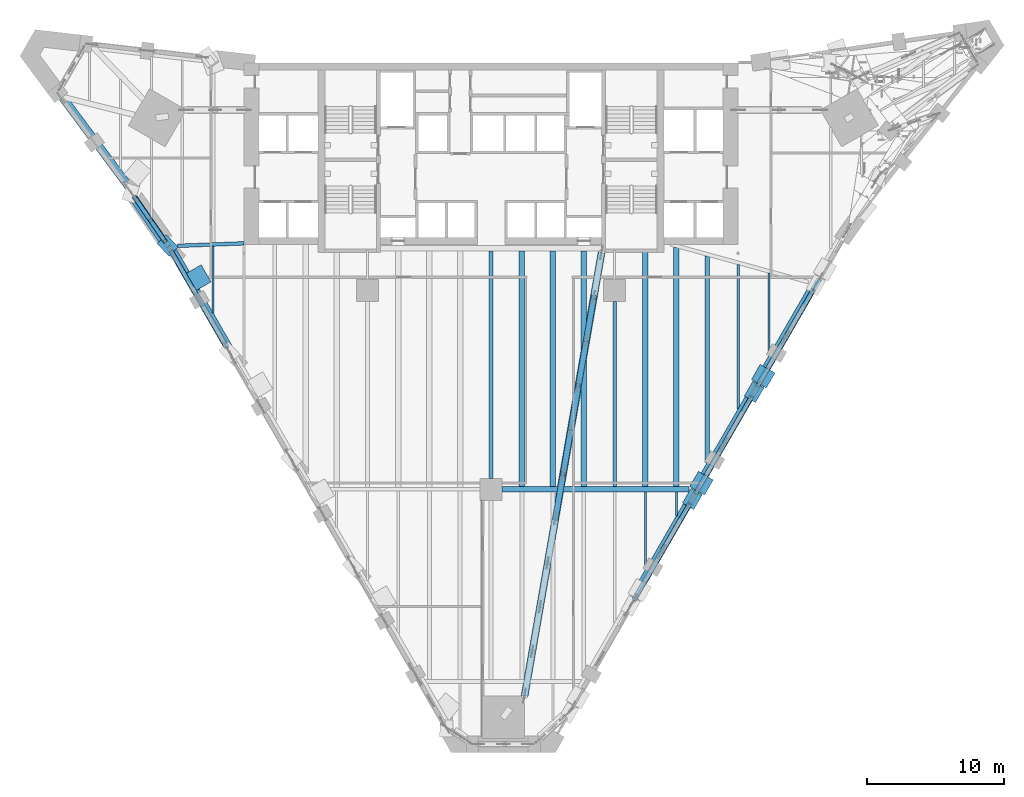
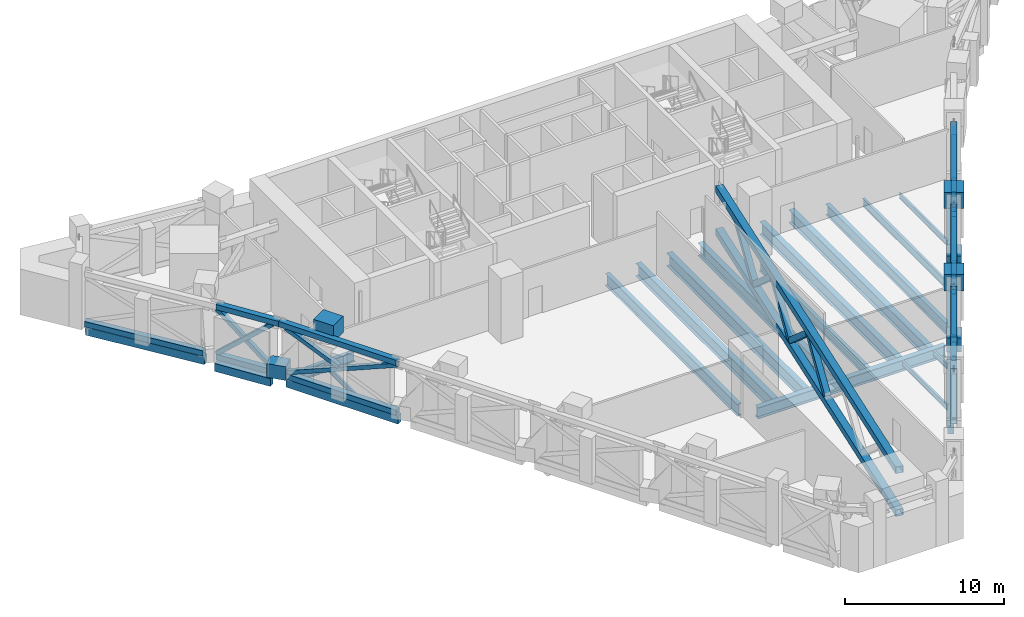
# One storey, part 3 of 22: 31 members, 27 beams.
"""IFC4 building model written with IfcOpenShell, lengths in metres."""

from ifc_helpers import new_model, si_unit, direction, frame, origin, origin_2d, place, context, subcontext, project, spatial, rectangle, hollow_rectangle, i_section, extrude, material, material_profile, profile_set, type_object, element, save


model = new_model("IFC4")

# Units and contexts
model_context = context("Model", 3, precision=1e-05, world=origin(), true_north=direction((0.0, 1.0)))
body_context = subcontext(model_context, "Body", "Model", "MODEL_VIEW")
ifc_project = project(units=[si_unit("LENGTHUNIT", "METRE"), si_unit("AREAUNIT", "SQUARE_METRE"), si_unit("VOLUMEUNIT", "CUBIC_METRE"), si_unit("PLANEANGLEUNIT", "RADIAN"), si_unit("MASSUNIT", "GRAM", prefix="KILO")], contexts=[model_context])

# Site, building, storey
site_placement = place(None, origin())
site = spatial("IfcSite", under=ifc_project, at=site_placement, CompositionType="ELEMENT")
building_placement = place(site_placement, origin())
building = spatial("IfcBuilding", under=site, at=building_placement, Name="Calabash Gate Tower", CompositionType="ELEMENT")
storey_placement = place(building_placement, frame((0.0, 0.0, 86.800048828125)))
storey = spatial("IfcBuildingStorey", under=building, at=storey_placement, Name="L18", CompositionType="ELEMENT", Elevation=86.800048828125)

# Members
ifc_material_1 = material(Name="Steel ASTM A500 Gr C", Category="steel")
ifc_material_profile_1 = material_profile(ifc_material_1, hollow_rectangle(XDim=0.406494140625, YDim=0.406494140625, WallThickness=0.015869140625, at=origin_2d()))
ifc_profile_set_1 = profile_set([ifc_material_profile_1], Name="Steel ASTM A500 Gr C")
member_type_1 = type_object("IfcMemberType", Name="Belt truss chord HSS16X16X.625 ASTM A500 Gr C", PredefinedType="CHORD", material=ifc_profile_set_1)
member_1_placement = place(storey_placement, frame((10.42236328125, -20.052734375, 0.203125), z_axis=(0.500012932018, 0.866017937352, 0.0), x_axis=(-0.866017937352, 0.500012932018, 0.0)))
element("IfcMember", 1, at=member_1_placement, inside=storey, type_object=member_type_1, Name="Belt chord L18 41", PredefinedType="CHORD", context=body_context, shape_type="SweptSolid", body=[
    extrude(hollow_rectangle(XDim=0.406494140625, YDim=0.406494140625, WallThickness=0.015869140625, at=origin_2d()), origin(), (0.0, 0.0, 1.0), 8.099853515625),
])
member_2_placement = place(storey_placement, frame((10.42236328125, -20.052734375, 4.02685546875), z_axis=(0.500165138133, 0.865930040243, 0.0), x_axis=(-0.865930040243, 0.500165138133, 0.0)))
element("IfcMember", 2, at=member_2_placement, inside=storey, type_object=member_type_1, Name="Belt chord L18 42", PredefinedType="CHORD", context=body_context, shape_type="SweptSolid", body=[
    extrude(hollow_rectangle(XDim=0.406494140625, YDim=0.406494140625, WallThickness=0.015869140625, at=origin_2d()), origin(), (0.0, 0.0, 1.0), 9.00634765625),
])
member_3_placement = place(storey_placement, frame((14.92236328125, -12.258544921875, 0.203125), z_axis=(0.500012932018, 0.866017937352, 0.0), x_axis=(-0.866017937352, 0.500012932018, 0.0)))
element("IfcMember", 3, at=member_3_placement, inside=storey, type_object=member_type_1, Name="Belt chord L18 46", PredefinedType="CHORD", context=body_context, shape_type="SweptSolid", body=[
    extrude(hollow_rectangle(XDim=0.406494140625, YDim=0.406494140625, WallThickness=0.015869140625, at=origin_2d()), origin(), (0.0, 0.0, 1.0), 8.099853515625),
])
member_4_placement = place(storey_placement, frame((14.92236328125, -12.258544921875, 4.02685546875), z_axis=(0.500176878948, 0.865923258589, 0.0), x_axis=(-0.865923258589, 0.500176878948, 0.0)))
element("IfcMember", 4, at=member_4_placement, inside=storey, type_object=member_type_1, Name="Belt chord L18 47", PredefinedType="CHORD", context=body_context, shape_type="SweptSolid", body=[
    extrude(hollow_rectangle(XDim=0.406494140625, YDim=0.406494140625, WallThickness=0.015869140625, at=origin_2d()), origin(), (0.0, 0.0, 1.0), 9.006103515625),
])
member_5_placement = place(storey_placement, frame((19.42236328125, -4.46435546875, 0.203125), z_axis=(0.499999880539, 0.866025472755, 0.0), x_axis=(-0.866025472755, 0.499999880539, 0.0)))
element("IfcMember", 5, at=member_5_placement, inside=storey, type_object=member_type_1, Name="Belt chord L18 51", PredefinedType="CHORD", context=body_context, shape_type="SweptSolid", body=[
    extrude(hollow_rectangle(XDim=0.406494140625, YDim=0.406494140625, WallThickness=0.015869140625, at=origin_2d()), origin(), (0.0, 0.0, 1.0), 8.10009765625),
])
member_6_placement = place(storey_placement, frame((19.42236328125, -4.46435546875, 4.02685546875), z_axis=(0.500188620222, 0.865916476458, 0.0), x_axis=(-0.865916476458, 0.500188620222, 0.0)))
element("IfcMember", 6, at=member_6_placement, inside=storey, type_object=member_type_1, Name="Belt chord L18 52", PredefinedType="CHORD", context=body_context, shape_type="SweptSolid", body=[
    extrude(hollow_rectangle(XDim=0.406494140625, YDim=0.406494140625, WallThickness=0.015869140625, at=origin_2d()), origin(), (0.0, 0.0, 1.0), 9.005859375),
])
member_7_placement = place(storey_placement, frame((-31.3173828125, 16.521484375, 0.203125), z_axis=(0.595297465971, -0.803505399489, 0.0), x_axis=(0.803505399489, 0.595297465971, 0.0)))
element("IfcMember", 7, at=member_7_placement, inside=storey, type_object=member_type_1, Name="Belt chord L18 101", PredefinedType="CHORD", context=body_context, shape_type="SweptSolid", body=[
    extrude(hollow_rectangle(XDim=0.406494140625, YDim=0.406494140625, WallThickness=0.015869140625, at=origin_2d()), origin(), (0.0, 0.0, 1.0), 8.10009765625),
])
member_8_placement = place(storey_placement, frame((-25.9716796875, 9.281005859375, 0.203125), z_axis=(0.568150166616, -0.822924898259, 0.0), x_axis=(0.822924898259, 0.568150166616, 0.0)))
element("IfcMember", 8, at=member_8_placement, inside=storey, type_object=member_type_1, Name="Belt chord L18 106", PredefinedType="CHORD", context=body_context, shape_type="SweptSolid", body=[
    extrude(hollow_rectangle(XDim=0.406494140625, YDim=0.406494140625, WallThickness=0.015869140625, at=origin_2d()), origin(), (0.0, 0.0, 1.0), 3.8828125),
])
member_9_placement = place(storey_placement, frame((-25.9716796875, 9.281005859375, 4.02685546875), z_axis=(0.568168040159, -0.822912558017, 0.0), x_axis=(0.822912558017, 0.568168040159, 0.0)))
element("IfcMember", 9, at=member_9_placement, inside=storey, type_object=member_type_1, Name="Belt chord L18 107", PredefinedType="CHORD", context=body_context, shape_type="SweptSolid", body=[
    extrude(hollow_rectangle(XDim=0.406494140625, YDim=0.406494140625, WallThickness=0.015869140625, at=origin_2d()), origin(), (0.0, 0.0, 1.0), 4.339599609375),
])
member_10_placement = place(storey_placement, frame((-23.2841796875, 5.324462890625, 0.203125), z_axis=(0.499999880539, -0.866025472755, 0.0), x_axis=(0.866025472755, 0.499999880539, 0.0)))
element("IfcMember", 10, at=member_10_placement, inside=storey, type_object=member_type_1, Name="Belt chord L18 111", PredefinedType="CHORD", context=body_context, shape_type="SweptSolid", body=[
    extrude(hollow_rectangle(XDim=0.406494140625, YDim=0.406494140625, WallThickness=0.015869140625, at=origin_2d()), origin(), (0.0, 0.0, 1.0), 8.10009765625),
])
member_11_placement = place(storey_placement, frame((-23.512939453125, 5.720947265625, 4.02685546875), z_axis=(0.499986688891, -0.86603308882, 0.0), x_axis=(0.86603308882, 0.499986688891, 0.0)))
element("IfcMember", 11, at=member_11_placement, inside=storey, type_object=member_type_1, Name="Belt chord L18 112", PredefinedType="CHORD", context=body_context, shape_type="SweptSolid", body=[
    extrude(hollow_rectangle(XDim=0.406494140625, YDim=0.406494140625, WallThickness=0.015869140625, at=origin_2d()), origin(), (0.0, 0.0, 1.0), 8.557861328125),
])
ifc_material_2 = material(Name="Steel ASTM A500 Gr C", Category="steel")
ifc_material_profile_2 = material_profile(ifc_material_2, hollow_rectangle(XDim=0.3046875, YDim=0.3046875, WallThickness=0.0126953125, at=origin_2d()))
ifc_profile_set_2 = profile_set([ifc_material_profile_2], Name="Steel ASTM A500 Gr C")
member_type_2 = type_object("IfcMemberType", Name="Belt truss diagonal HSS12X12X.500 ASTM A500 Gr C", PredefinedType="BRACE", material=ifc_profile_set_2)
member_12_placement = place(storey_placement, frame((10.42236328125, -20.052734375, 0.40625), z_axis=(0.460692039879, 0.797914502972, 0.38870977649), x_axis=(-0.866017937352, 0.500012932018, 0.0)))
element("IfcMember", 12, at=member_12_placement, inside=storey, type_object=member_type_2, Name="Belt diagonal L18 43", PredefinedType="BRACE", context=body_context, shape_type="SweptSolid", body=[
    extrude(hollow_rectangle(XDim=0.3046875, YDim=0.3046875, WallThickness=0.0126953125, at=origin_2d()), origin(), (0.0, 0.0, 1.0), 8.791259765625),
])
member_13_placement = place(storey_placement, frame((12.54541015625, -16.375732421875, 2.0322265625), z_axis=(0.460680793484, 0.797918044814, -0.388715834866), x_axis=(-0.866024183959, 0.500002112793, 0.0)))
element("IfcMember", 13, at=member_13_placement, inside=storey, type_object=member_type_2, Name="Belt diagonal (split) L18 45 half 2 of 2", PredefinedType="BRACE", context=body_context, shape_type="SweptSolid", body=[
    extrude(hollow_rectangle(XDim=0.3046875, YDim=0.3046875, WallThickness=0.0126953125, at=origin_2d()), origin(), (0.0, 0.0, 1.0), 4.182861328125),
])
member_14_placement = place(storey_placement, frame((14.92236328125, -12.258544921875, 0.40625), z_axis=(0.460692039879, 0.797914502972, 0.38870977649), x_axis=(-0.866017937352, 0.500012932018, 0.0)))
element("IfcMember", 14, at=member_14_placement, inside=storey, type_object=member_type_2, Name="Belt diagonal L18 48", PredefinedType="BRACE", context=body_context, shape_type="SweptSolid", body=[
    extrude(hollow_rectangle(XDim=0.3046875, YDim=0.3046875, WallThickness=0.0126953125, at=origin_2d()), origin(), (0.0, 0.0, 1.0), 8.791259765625),
])
for number, where, z_axis, x_axis, name in (
    (15, (14.92236328125, -12.258544921875, 3.823486328125), (0.460691244837, 0.797936146986, -0.388666286503), (-0.866024183959, 0.500002112793, 0.0), "Belt diagonal (split) L18 49 half 1 of 2"),
    (16, (17.04541015625, -8.58154296875, 2.0322265625), (0.460680793484, 0.797918044814, -0.388715834866), (-0.866024183959, 0.500002112793, 0.0), "Belt diagonal (split) L18 50 half 2 of 2"),
):
    element("IfcMember", number, at=place(storey_placement, frame(where, z_axis=z_axis, x_axis=x_axis)), inside=storey, type_object=member_type_2, Name=name, PredefinedType="BRACE", context=body_context, shape_type="SweptSolid", body=[
        extrude(hollow_rectangle(XDim=0.3046875, YDim=0.3046875, WallThickness=0.0126953125, at=origin_2d()), origin(), (0.0, 0.0, 1.0), 4.182861328125),
    ])
member_15_placement = place(storey_placement, frame((19.42236328125, -4.46435546875, 0.40625), z_axis=(0.460681831643, 0.797924592719, 0.388701163272), x_axis=(-0.866025472755, 0.499999880539, 0.0)))
element("IfcMember", 17, at=member_15_placement, inside=storey, type_object=member_type_2, Name="Belt diagonal L18 53", PredefinedType="BRACE", context=body_context, shape_type="SweptSolid", body=[
    extrude(hollow_rectangle(XDim=0.3046875, YDim=0.3046875, WallThickness=0.0126953125, at=origin_2d()), origin(), (0.0, 0.0, 1.0), 8.79150390625),
])
for number, where, z_axis, x_axis, name in (
    (18, (19.42236328125, -4.46435546875, 3.823486328125), (0.460691244837, 0.797936146986, -0.388666286503), (-0.866024183959, 0.500002112793, 0.0), "Belt diagonal (split) L18 54 half 1 of 2"),
    (19, (21.54541015625, -0.787109375, 2.0322265625), (0.460680793484, 0.797918044814, -0.388715834866), (-0.866024183959, 0.500002112793, 0.0), "Belt diagonal (split) L18 55 half 2 of 2"),
):
    element("IfcMember", number, at=place(storey_placement, frame(where, z_axis=z_axis, x_axis=x_axis)), inside=storey, type_object=member_type_2, Name=name, PredefinedType="BRACE", context=body_context, shape_type="SweptSolid", body=[
        extrude(hollow_rectangle(XDim=0.3046875, YDim=0.3046875, WallThickness=0.0126953125, at=origin_2d()), origin(), (0.0, 0.0, 1.0), 4.182861328125),
    ])
member_16_placement = place(storey_placement, frame((-25.9716796875, 9.281005859375, 0.40625), z_axis=(0.426501204687, -0.617756503646, 0.660661505313), x_axis=(0.822924898259, 0.568150166616, 0.0)))
element("IfcMember", 20, at=member_16_placement, inside=storey, type_object=member_type_2, Name="Belt diagonal L18 108", PredefinedType="BRACE", context=body_context, shape_type="SweptSolid", body=[
    extrude(hollow_rectangle(XDim=0.3046875, YDim=0.3046875, WallThickness=0.0126953125, at=origin_2d()), origin(), (0.0, 0.0, 1.0), 5.17236328125),
])
for number, where, z_axis, x_axis, name in (
    (21, (-25.9716796875, 9.281005859375, 3.823486328125), (0.426452853275, -0.617849791659, -0.660605478996), (0.822995115752, 0.568048448153, 0.0), "Belt diagonal (split) L18 109 half 1 of 2"),
    (22, (-24.80322265625, 7.58837890625, 2.013427734375), (0.426533126327, -0.617720327657, -0.660674722496), (0.822889458805, 0.568201494707, 0.0), "Belt diagonal (split) L18 110 half 2 of 2"),
):
    element("IfcMember", number, at=place(storey_placement, frame(where, z_axis=z_axis, x_axis=x_axis)), inside=storey, type_object=member_type_2, Name=name, PredefinedType="BRACE", context=body_context, shape_type="SweptSolid", body=[
        extrude(hollow_rectangle(XDim=0.3046875, YDim=0.3046875, WallThickness=0.0126953125, at=origin_2d()), origin(), (0.0, 0.0, 1.0), 2.4326171875),
    ])
member_17_placement = place(storey_placement, frame((-23.2841796875, 5.324462890625, 0.40625), z_axis=(0.460681831643, -0.797924592719, 0.388701163272), x_axis=(0.866025472755, 0.499999880539, 0.0)))
element("IfcMember", 23, at=member_17_placement, inside=storey, type_object=member_type_2, Name="Belt diagonal L18 113", PredefinedType="BRACE", context=body_context, shape_type="SweptSolid", body=[
    extrude(hollow_rectangle(XDim=0.3046875, YDim=0.3046875, WallThickness=0.0126953125, at=origin_2d()), origin(), (0.0, 0.0, 1.0), 8.79150390625),
])
member_18_placement = place(storey_placement, frame((-23.2841796875, 5.324462890625, 3.823486328125), z_axis=(0.460691244837, -0.797936146986, -0.388666286503), x_axis=(0.866024183959, 0.500002112793, 0.0)))
element("IfcMember", 24, at=member_18_placement, inside=storey, type_object=member_type_2, Name="Belt diagonal (split) L18 114 half 1 of 2", PredefinedType="BRACE", context=body_context, shape_type="SweptSolid", body=[
    extrude(hollow_rectangle(XDim=0.3046875, YDim=0.3046875, WallThickness=0.0126953125, at=origin_2d()), origin(), (0.0, 0.0, 1.0), 4.182861328125),
])

# Beams
ifc_material_3 = material(Name="Concrete C60/75", Category="concrete")
ifc_material_profile_3 = material_profile(ifc_material_3, rectangle(XDim=0.39990234375, YDim=0.60009765625, at=origin_2d()))
ifc_profile_set_3 = profile_set([ifc_material_profile_3], Name="Concrete C60/75")
beam_type_1 = type_object("IfcBeamType", Name="Edge beam RC 400x600 Concrete C60/75", PredefinedType="BEAM", material=ifc_profile_set_3)
for number, where, z_axis, x_axis, name in (
    (25, (10.2490234375, -19.952880859375, -0.469970703125), (0.499999880539, 0.866025472755, 0.0), (-0.866025472755, 0.499999880539, 0.0), "Edge beam L18 8"),
    (26, (14.7490234375, -12.158935546875, -0.469970703125), (0.499999880539, 0.866025472755, 0.0), (-0.866025472755, 0.499999880539, 0.0), "Edge beam L18 9"),
):
    element("IfcBeam", number, at=place(storey_placement, frame(where, z_axis=z_axis, x_axis=x_axis)), inside=storey, type_object=beam_type_1, Name=name, PredefinedType="BEAM", context=body_context, shape_type="SweptSolid", body=[
        extrude(rectangle(XDim=0.39990234375, YDim=0.60009765625, at=origin_2d()), origin(), (0.0, 0.0, 1.0), 8.10009765625),
    ])
beam_1_placement = place(storey_placement, frame((19.2490234375, -4.364013671875, -0.469970703125), z_axis=(0.50005208986, 0.865995327601, 0.0), x_axis=(-0.865995327601, 0.50005208986, 0.0)))
element("IfcBeam", 27, at=beam_1_placement, inside=storey, type_object=beam_type_1, Name="Edge beam L18 10", PredefinedType="BEAM", context=body_context, shape_type="SweptSolid", body=[
    extrude(rectangle(XDim=0.39990234375, YDim=0.60009765625, at=origin_2d()), origin(), (0.0, 0.0, 1.0), 8.099365234375),
])
beam_2_placement = place(storey_placement, frame((-31.156982421875, 16.64111328125, -0.469970703125), z_axis=(0.595424273409, -0.803411435465, 0.0), x_axis=(0.803411435465, 0.595424273409, 0.0)))
element("IfcBeam", 28, at=beam_2_placement, inside=storey, type_object=beam_type_1, Name="Edge beam L18 22", PredefinedType="BEAM", context=body_context, shape_type="SweptSolid", body=[
    extrude(rectangle(XDim=0.39990234375, YDim=0.60009765625, at=origin_2d()), origin(), (0.0, 0.0, 1.0), 8.101806640625),
])
beam_3_placement = place(storey_placement, frame((-26.14306640625, 9.179931640625, -0.469970703125), z_axis=(0.567920604316, -0.823083341584, 0.0), x_axis=(0.823083341584, 0.567920604316, 0.0)))
element("IfcBeam", 29, at=beam_3_placement, inside=storey, type_object=beam_type_1, Name="Edge beam L18 23", PredefinedType="BEAM", context=body_context, shape_type="SweptSolid", body=[
    extrude(rectangle(XDim=0.39990234375, YDim=0.60009765625, at=origin_2d()), origin(), (0.0, 0.0, 1.0), 3.891357421875),
])
beam_4_placement = place(storey_placement, frame((-23.111083984375, 5.424072265625, -0.469970703125), z_axis=(0.500039036678, -0.866002864775, 0.0), x_axis=(0.866002864775, 0.500039036678, 0.0)))
element("IfcBeam", 30, at=beam_4_placement, inside=storey, type_object=beam_type_1, Name="Edge beam L18 24", PredefinedType="BEAM", context=body_context, shape_type="SweptSolid", body=[
    extrude(rectangle(XDim=0.39990234375, YDim=0.60009765625, at=origin_2d()), origin(), (0.0, 0.0, 1.0), 8.099365234375),
])
ifc_material_4 = material(Name="Steel ASTM A992 Gr50", Category="steel")
ifc_material_profile_4 = material_profile(ifc_material_4, i_section(OverallWidth=0.1396484375, OverallDepth=0.398681640625, WebThickness=0.00634765625, FlangeThickness=0.0087890625, FilletRadius=0.01025390625, at=origin_2d()))
ifc_profile_set_4 = profile_set([ifc_material_profile_4], Name="Steel ASTM A992 Gr50")
beam_type_2 = type_object("IfcBeamType", Name="Floor beam W16x26 ASTM A992 Gr50", PredefinedType="BEAM", material=ifc_profile_set_4)
beam_5_placement = place(storey_placement, frame((-20.25, 0.8369140625, -0.369140625), z_axis=(0.0, 1.0, 0.0), x_axis=(-1.0, 0.0, 0.0)))
element("IfcBeam", 31, at=beam_5_placement, inside=storey, type_object=beam_type_2, Name="Floor beam L18 8", PredefinedType="BEAM", context=body_context, shape_type="SweptSolid", body=[
    extrude(i_section(OverallWidth=0.1396484375, OverallDepth=0.398681640625, WebThickness=0.00634765625, FlangeThickness=0.0087890625, FilletRadius=0.01025390625, at=origin_2d()), origin(), (0.0, 0.0, 1.0), 4.89013671875),
])
beam_6_placement = place(storey_placement, frame((11.25, -17.85205078125, -0.369140625), z_axis=(0.0, 1.0, 0.0), x_axis=(-1.0, 0.0, 0.0)))
element("IfcBeam", 32, at=beam_6_placement, inside=storey, type_object=beam_type_2, Name="Floor beam L18 37", PredefinedType="BEAM", context=body_context, shape_type="SweptSolid", body=[
    extrude(i_section(OverallWidth=0.1396484375, OverallDepth=0.398681640625, WebThickness=0.00634765625, FlangeThickness=0.0087890625, FilletRadius=0.01025390625, at=origin_2d()), origin(), (0.0, 0.0, 1.0), 5.653076171875),
])
beam_7_placement = place(storey_placement, frame((13.5, -13.9541015625, -0.369140625), z_axis=(0.0, 1.0, 0.0), x_axis=(-1.0, 0.0, 0.0)))
element("IfcBeam", 33, at=beam_7_placement, inside=storey, type_object=beam_type_2, Name="Floor beam L18 39", PredefinedType="BEAM", context=body_context, shape_type="SweptSolid", body=[
    extrude(i_section(OverallWidth=0.1396484375, OverallDepth=0.398681640625, WebThickness=0.00634765625, FlangeThickness=0.0087890625, FilletRadius=0.01025390625, at=origin_2d()), origin(), (0.0, 0.0, 1.0), 1.755126953125),
])
beam_8_placement = place(storey_placement, frame((20.25, -2.262939453125, -0.369140625), z_axis=(0.0, 1.0, 0.0), x_axis=(-1.0, 0.0, 0.0)))
element("IfcBeam", 34, at=beam_8_placement, inside=storey, type_object=beam_type_2, Name="Floor beam L18 43", PredefinedType="BEAM", context=body_context, shape_type="SweptSolid", body=[
    extrude(i_section(OverallWidth=0.1396484375, OverallDepth=0.398681640625, WebThickness=0.00634765625, FlangeThickness=0.0087890625, FilletRadius=0.01025390625, at=origin_2d()), origin(), (0.0, 0.0, 1.0), 6.033935546875),
])
ifc_material_5 = material(Name="Steel ASTM A992 Gr50", Category="steel")
ifc_material_profile_5 = material_profile(ifc_material_5, i_section(OverallWidth=0.1787109375, OverallDepth=0.60205078125, WebThickness=0.010986328125, FlangeThickness=0.014892578125, FilletRadius=0.0126953125, at=origin_2d()))
ifc_profile_set_5 = profile_set([ifc_material_profile_5], Name="Steel ASTM A992 Gr50")
beam_type_3 = type_object("IfcBeamType", Name="Floor beam W24x62 ASTM A992 Gr50", PredefinedType="BEAM", material=ifc_profile_set_5)
beam_9_placement = place(storey_placement, frame((18.0, -6.159912109375, -0.470947265625), z_axis=(0.0, 1.0, 0.0), x_axis=(-1.0, 0.0, 0.0)))
element("IfcBeam", 35, at=beam_9_placement, inside=storey, type_object=beam_type_3, Name="Floor beam L18 42", PredefinedType="BEAM", context=body_context, shape_type="SweptSolid", body=[
    extrude(i_section(OverallWidth=0.1787109375, OverallDepth=0.60205078125, WebThickness=0.010986328125, FlangeThickness=0.014892578125, FilletRadius=0.0126953125, at=origin_2d()), origin(), (0.0, 0.0, 1.0), 10.548828125),
])
ifc_material_6 = material(Name="Steel ASTM A992 Gr50", Category="steel")
ifc_material_profile_6 = material_profile(ifc_material_6, i_section(OverallWidth=0.2666015625, OverallDepth=0.7568359375, WebThickness=0.013916015625, FlangeThickness=0.019287109375, FilletRadius=0.0166015625, at=origin_2d()))
ifc_profile_set_6 = profile_set([ifc_material_profile_6], Name="Steel ASTM A992 Gr50")
beam_type_4 = type_object("IfcBeamType", Name="Floor beam W30x108 ASTM A992 Gr50", PredefinedType="BEAM", material=ifc_profile_set_6)
beam_10_placement = place(storey_placement, frame((9.0, -11.801025390625, -0.548095703125), z_axis=(0.0, 1.0, 0.0), x_axis=(-1.0, 0.0, 0.0)))
element("IfcBeam", 36, at=beam_10_placement, inside=storey, type_object=beam_type_4, Name="Floor beam L18 35", PredefinedType="BEAM", context=body_context, shape_type="SweptSolid", body=[
    extrude(i_section(OverallWidth=0.2666015625, OverallDepth=0.7568359375, WebThickness=0.013916015625, FlangeThickness=0.019287109375, FilletRadius=0.0166015625, at=origin_2d()), origin(), (0.0, 0.0, 1.0), 13.5009765625),
])
ifc_material_7 = material(Name="Steel ASTM A992 Gr50", Category="steel")
ifc_material_profile_7 = material_profile(ifc_material_7, i_section(OverallWidth=0.2919921875, OverallDepth=0.845703125, WebThickness=0.015380859375, FlangeThickness=0.0244140625, FilletRadius=0.017822265625, at=origin_2d()))
ifc_profile_set_7 = profile_set([ifc_material_profile_7], Name="Steel ASTM A992 Gr50")
beam_type_5 = type_object("IfcBeamType", Name="Floor beam W33x141 ASTM A992 Gr50", PredefinedType="BEAM", material=ifc_profile_set_7)
beam_11_placement = place(storey_placement, frame((15.75, -10.056884765625, -0.593017578125), z_axis=(0.0, 1.0, 0.0), x_axis=(-1.0, 0.0, 0.0)))
element("IfcBeam", 37, at=beam_11_placement, inside=storey, type_object=beam_type_5, Name="Floor beam L18 41", PredefinedType="BEAM", context=body_context, shape_type="SweptSolid", body=[
    extrude(i_section(OverallWidth=0.2919921875, OverallDepth=0.845703125, WebThickness=0.015380859375, FlangeThickness=0.0244140625, FilletRadius=0.017822265625, at=origin_2d()), origin(), (0.0, 0.0, 1.0), 15.06298828125),
])
ifc_material_8 = material(Name="Steel ASTM A992 Gr50", Category="steel")
ifc_material_profile_8 = material_profile(ifc_material_8, i_section(OverallWidth=0.307373046875, OverallDepth=0.922119140625, WebThickness=0.018310546875, FlangeThickness=0.030029296875, FilletRadius=0.01904296875, at=origin_2d()))
ifc_profile_set_8 = profile_set([ifc_material_profile_8], Name="Steel ASTM A992 Gr50")
beam_type_6 = type_object("IfcBeamType", Name="Floor beam W36x182 ASTM A992 Gr50", PredefinedType="BEAM", material=ifc_profile_set_8)
beam_12_placement = place(storey_placement, frame((0.0, -11.199951171875, -0.631103515625), z_axis=(0.0, 1.0, 0.0), x_axis=(-1.0, 0.0, 0.0)))
element("IfcBeam", 38, at=beam_12_placement, inside=storey, type_object=beam_type_6, Name="Floor beam L18 26", PredefinedType="BEAM", context=body_context, shape_type="SweptSolid", body=[
    extrude(i_section(OverallWidth=0.307373046875, OverallDepth=0.922119140625, WebThickness=0.018310546875, FlangeThickness=0.030029296875, FilletRadius=0.01904296875, at=origin_2d()), origin(), (0.0, 0.0, 1.0), 16.552001953125),
])
ifc_material_9 = material(Name="Steel ASTM A992 Gr50", Category="steel")
ifc_material_profile_9 = material_profile(ifc_material_9, i_section(OverallWidth=0.4013671875, OverallDepth=0.990478515625, WebThickness=0.0166015625, FlangeThickness=0.031005859375, FilletRadius=0.030029296875, at=origin_2d()))
ifc_profile_set_9 = profile_set([ifc_material_profile_9], Name="Steel ASTM A992 Gr50")
beam_type_7 = type_object("IfcBeamType", Name="Floor beam W40x215 ASTM A992 Gr50", PredefinedType="BEAM", material=ifc_profile_set_9)
for number, where, z_axis, x_axis, name in (
    (39, (2.25, -11.801025390625, -0.6630859375), (0.0, 1.0, 0.0), (-1.0, 0.0, 0.0), "Floor beam L18 28"),
    (40, (4.5, -11.801025390625, -0.6630859375), (0.0, 1.0, 0.0), (-1.0, 0.0, 0.0), "Floor beam L18 31"),
    (41, (6.75, -11.801025390625, -0.6630859375), (0.0, 1.0, 0.0), (-1.0, 0.0, 0.0), "Floor beam L18 33"),
):
    element("IfcBeam", number, at=place(storey_placement, frame(where, z_axis=z_axis, x_axis=x_axis)), inside=storey, type_object=beam_type_7, Name=name, PredefinedType="BEAM", context=body_context, shape_type="SweptSolid", body=[
        extrude(i_section(OverallWidth=0.4013671875, OverallDepth=0.990478515625, WebThickness=0.0166015625, FlangeThickness=0.031005859375, FilletRadius=0.030029296875, at=origin_2d()), origin(), (0.0, 0.0, 1.0), 17.153076171875),
    ])
beam_13_placement = place(storey_placement, frame((11.25, -11.801025390625, -0.6630859375), z_axis=(0.0, 1.0, 0.0), x_axis=(-1.0, 0.0, 0.0)))
element("IfcBeam", 42, at=beam_13_placement, inside=storey, type_object=beam_type_7, Name="Floor beam L18 38", PredefinedType="BEAM", context=body_context, shape_type="SweptSolid", body=[
    extrude(i_section(OverallWidth=0.4013671875, OverallDepth=0.990478515625, WebThickness=0.0166015625, FlangeThickness=0.031005859375, FilletRadius=0.030029296875, at=origin_2d()), origin(), (0.0, 0.0, 1.0), 17.2041015625),
])
beam_14_placement = place(storey_placement, frame((13.5, -11.801025390625, -0.6630859375), z_axis=(0.0, 1.0, 0.0), x_axis=(-1.0, 0.0, 0.0)))
element("IfcBeam", 43, at=beam_14_placement, inside=storey, type_object=beam_type_7, Name="Floor beam L18 40", PredefinedType="BEAM", context=body_context, shape_type="SweptSolid", body=[
    extrude(i_section(OverallWidth=0.4013671875, OverallDepth=0.990478515625, WebThickness=0.0166015625, FlangeThickness=0.031005859375, FilletRadius=0.030029296875, at=origin_2d()), origin(), (0.0, 0.0, 1.0), 17.425048828125),
])
ifc_material_10 = material(Name="Steel ASTM A992 Gr50", Category="steel")
ifc_material_profile_10 = material_profile(ifc_material_10, i_section(OverallWidth=0.2666015625, OverallDepth=0.77978515625, WebThickness=0.0166015625, FlangeThickness=0.030029296875, FilletRadius=0.0166015625, at=origin_2d()))
ifc_profile_set_10 = profile_set([ifc_material_profile_10], Name="Steel ASTM A992 Gr50")
beam_type_8 = type_object("IfcBeamType", Name="Girder W30x148 ASTM A992 Gr50", PredefinedType="BEAM", material=ifc_profile_set_10)
beam_15_placement = place(storey_placement, frame((-22.85302734375, 5.739013671875, -0.56005859375), z_axis=(0.999273744007, 0.038104914879, 0.0), x_axis=(-0.038104914879, 0.999273744007, 0.0)))
element("IfcBeam", 44, at=beam_15_placement, inside=storey, type_object=beam_type_8, Name="Girder L18 2", PredefinedType="BEAM", context=body_context, shape_type="SweptSolid", body=[
    extrude(i_section(OverallWidth=0.2666015625, OverallDepth=0.77978515625, WebThickness=0.0166015625, FlangeThickness=0.030029296875, FilletRadius=0.0166015625, at=origin_2d()), origin(), (0.0, 0.0, 1.0), 4.8564453125),
])
ifc_material_11 = material(Name="Steel ASTM A992 Gr50", Category="steel")
ifc_material_profile_11 = material_profile(ifc_material_11, i_section(OverallWidth=0.398681640625, OverallDepth=0.85595703125, WebThickness=0.018310546875, FlangeThickness=0.029296875, FilletRadius=0.02001953125, at=origin_2d()))
ifc_profile_set_11 = profile_set([ifc_material_profile_11], Name="Steel ASTM A992 Gr50")
beam_type_9 = type_object("IfcBeamType", Name="Girder W33x201 ASTM A992 Gr50", PredefinedType="BEAM", material=ifc_profile_set_11)
beam_16_placement = place(storey_placement, frame((0.800048828125, -12.0, -0.59814453125), z_axis=(1.0, 0.0, 0.0), x_axis=(0.0, 1.0, 0.0)))
element("IfcBeam", 45, at=beam_16_placement, inside=storey, type_object=beam_type_9, Name="Girder L18 5", PredefinedType="BEAM", context=body_context, shape_type="SweptSolid", body=[
    extrude(i_section(OverallWidth=0.398681640625, OverallDepth=0.85595703125, WebThickness=0.018310546875, FlangeThickness=0.029296875, FilletRadius=0.02001953125, at=origin_2d()), origin(), (0.0, 0.0, 1.0), 13.61083984375),
])

# Members
ifc_material_12 = material(Name="Steel ASTM A500 Gr C", Category="steel")
ifc_material_profile_12 = material_profile(ifc_material_12, hollow_rectangle(XDim=0.508056640625, YDim=0.508056640625, WallThickness=0.01904296875, at=origin_2d()))
ifc_profile_set_12 = profile_set([ifc_material_profile_12], Name="Steel ASTM A500 Gr C")
member_type_3 = type_object("IfcMemberType", Name="Outrigger chord HSS20X20X.750 ASTM A500 Gr C", PredefinedType="CHORD", material=ifc_profile_set_12)
for number, where, z_axis, x_axis, name in (
    (46, (2.445068359375, -27.045654296875, 0.25390625), (0.170982229576, 0.985274112706, 0.0), (-0.985274112706, 0.170982229576, 0.0), "Outrigger chord L18 S"),
    (47, (2.445068359375, -27.045654296875, 3.52587890625), (0.170982229576, 0.985274112706, 0.0), (-0.985274112706, 0.170982229576, 0.0), "Outrigger chord L18 S"),
):
    element("IfcMember", number, at=place(storey_placement, frame(where, z_axis=z_axis, x_axis=x_axis)), inside=storey, type_object=member_type_3, Name=name, PredefinedType="CHORD", context=body_context, shape_type="SweptSolid", body=[
        extrude(hollow_rectangle(XDim=0.508056640625, YDim=0.508056640625, WallThickness=0.01904296875, at=origin_2d()), origin(), (0.0, 0.0, 1.0), 32.781005859375),
    ])
ifc_material_13 = material(Name="Steel ASTM A500 Gr C", Category="steel")
ifc_material_profile_13 = material_profile(ifc_material_13, hollow_rectangle(XDim=0.406494140625, YDim=0.406494140625, WallThickness=0.015869140625, at=origin_2d()))
ifc_profile_set_13 = profile_set([ifc_material_profile_13], Name="Steel ASTM A500 Gr C")
member_type_4 = type_object("IfcMemberType", Name="Outrigger diagonal HSS16X16X.625 ASTM A500 Gr C", PredefinedType="BRACE", material=ifc_profile_set_13)
for number, where, z_axis, x_axis, name in (
    (48, (4.68701171875, -14.126220703125, 0.508056640625), (0.130732737562, 0.753250603315, 0.644610331856), (-0.985270732188, 0.171001708451, 0.0), "Outrigger diagonal L18 S"),
    (49, (5.24755859375, -10.896484375, 3.27197265625), (0.130732737562, 0.753250603315, -0.644610331856), (-0.985270732188, 0.171001708451, 0.0), "Outrigger diagonal L18 S"),
    (50, (5.80810546875, -7.666748046875, 0.508056640625), (0.130671166136, 0.75328084008, 0.644587482278), (-0.985285453791, 0.170916864433, 0.0), "Outrigger diagonal L18 S"),
    (51, (6.368408203125, -4.436767578125, 3.27197265625), (0.130732737562, 0.753250603315, -0.644610331856), (-0.985270732188, 0.171001708451, 0.0), "Outrigger diagonal L18 S"),
    (52, (6.928955078125, -1.20703125, 0.508056640625), (0.130732737562, 0.753250603315, 0.644610331856), (-0.985270732188, 0.171001708451, 0.0), "Outrigger diagonal L18 S"),
):
    element("IfcMember", number, at=place(storey_placement, frame(where, z_axis=z_axis, x_axis=x_axis)), inside=storey, type_object=member_type_4, Name=name, PredefinedType="BRACE", context=body_context, shape_type="SweptSolid", body=[
        extrude(hollow_rectangle(XDim=0.406494140625, YDim=0.406494140625, WallThickness=0.015869140625, at=origin_2d()), origin(), (0.0, 0.0, 1.0), 4.287841796875),
    ])

# Beams
ifc_material_14 = material(Name="Concrete C70/85", Category="concrete")
ifc_material_profile_14 = material_profile(ifc_material_14, rectangle(XDim=1.25, YDim=1.25, at=origin_2d()))
ifc_profile_set_14 = profile_set([ifc_material_profile_14], Name="Concrete C70/85")
beam_type_10 = type_object("IfcBeamType", Name="Transfer node RC 1250x1250 Concrete C70/85", PredefinedType="BEAM", material=ifc_profile_set_14)
beam_17_placement = place(storey_placement, frame((-20.943115234375, 2.800048828125, 4.376953125), z_axis=(-0.499693115345, 0.866202511239, 0.0), x_axis=(-0.866202511239, -0.499693115345, 0.0)))
element("IfcBeam", 53, at=beam_17_placement, inside=storey, type_object=beam_type_10, Name="Transfer node L18 head P00", PredefinedType="BEAM", context=body_context, shape_type="SweptSolid", body=[
    extrude(rectangle(XDim=1.25, YDim=1.25, at=origin_2d()), origin(), (0.0, 0.0, 1.0), 1.44091796875),
])
for number, where, z_axis, x_axis, name in (
    (54, (15.011962890625, -12.10400390625, 4.376953125), (0.499922110319, 0.866070368743, 0.0), (-0.866070368743, 0.499922110319, 0.0), "Transfer node L18 head P10"),
    (55, (19.511962890625, -4.31005859375, 4.376953125), (0.499922110319, 0.866070368743, 0.0), (-0.866070368743, 0.499922110319, 0.0), "Transfer node L18 head P11"),
):
    element("IfcBeam", number, at=place(storey_placement, frame(where, z_axis=z_axis, x_axis=x_axis)), inside=storey, type_object=beam_type_10, Name=name, PredefinedType="BEAM", context=body_context, shape_type="SweptSolid", body=[
        extrude(rectangle(XDim=1.25, YDim=1.25, at=origin_2d()), origin(), (0.0, 0.0, 1.0), 1.270263671875),
    ])
ifc_material_15 = material(Name="Concrete C70/85", Category="concrete")
ifc_material_profile_15 = material_profile(ifc_material_15, rectangle(XDim=0.949951171875, YDim=1.050048828125, at=origin_2d()))
ifc_profile_set_15 = profile_set([ifc_material_profile_15], Name="Concrete C70/85")
beam_type_11 = type_object("IfcBeamType", Name="Transfer node RC 950x1050 Concrete C70/85", PredefinedType="BEAM", material=ifc_profile_set_15)
beam_18_placement = place(storey_placement, frame((-23.9990234375, 6.22998046875, 0.52685546875), z_axis=(0.6887088321, -0.725038029753, 0.0), x_axis=(0.725038029753, 0.6887088321, 0.0)))
element("IfcBeam", 56, at=beam_18_placement, inside=storey, type_object=beam_type_11, Name="Transfer node L18 foot P00", PredefinedType="BEAM", context=body_context, shape_type="SweptSolid", body=[
    extrude(rectangle(XDim=0.949951171875, YDim=1.050048828125, at=origin_2d()), origin(), (0.0, 0.0, 1.0), 1.263427734375),
])
beam_19_placement = place(storey_placement, frame((14.35791015625, -13.236083984375, 0.52685546875), z_axis=(0.500198977292, 0.865910493709, 0.0), x_axis=(-0.865910493709, 0.500198977292, 0.0)))
element("IfcBeam", 57, at=beam_19_placement, inside=storey, type_object=beam_type_11, Name="Transfer node L18 foot P10", PredefinedType="BEAM", context=body_context, shape_type="SweptSolid", body=[
    extrude(rectangle(XDim=0.949951171875, YDim=1.050048828125, at=origin_2d()), origin(), (0.0, 0.0, 1.0), 1.24169921875),
])
beam_20_placement = place(storey_placement, frame((18.85791015625, -5.44189453125, 0.52685546875), z_axis=(0.500284150519, 0.865861287239, 0.0), x_axis=(-0.865861287239, 0.500284150519, 0.0)))
element("IfcBeam", 58, at=beam_20_placement, inside=storey, type_object=beam_type_11, Name="Transfer node L18 foot P11", PredefinedType="BEAM", context=body_context, shape_type="SweptSolid", body=[
    extrude(rectangle(XDim=0.949951171875, YDim=1.050048828125, at=origin_2d()), origin(), (0.0, 0.0, 1.0), 1.241455078125),
])

save(model, "model.ifc")
